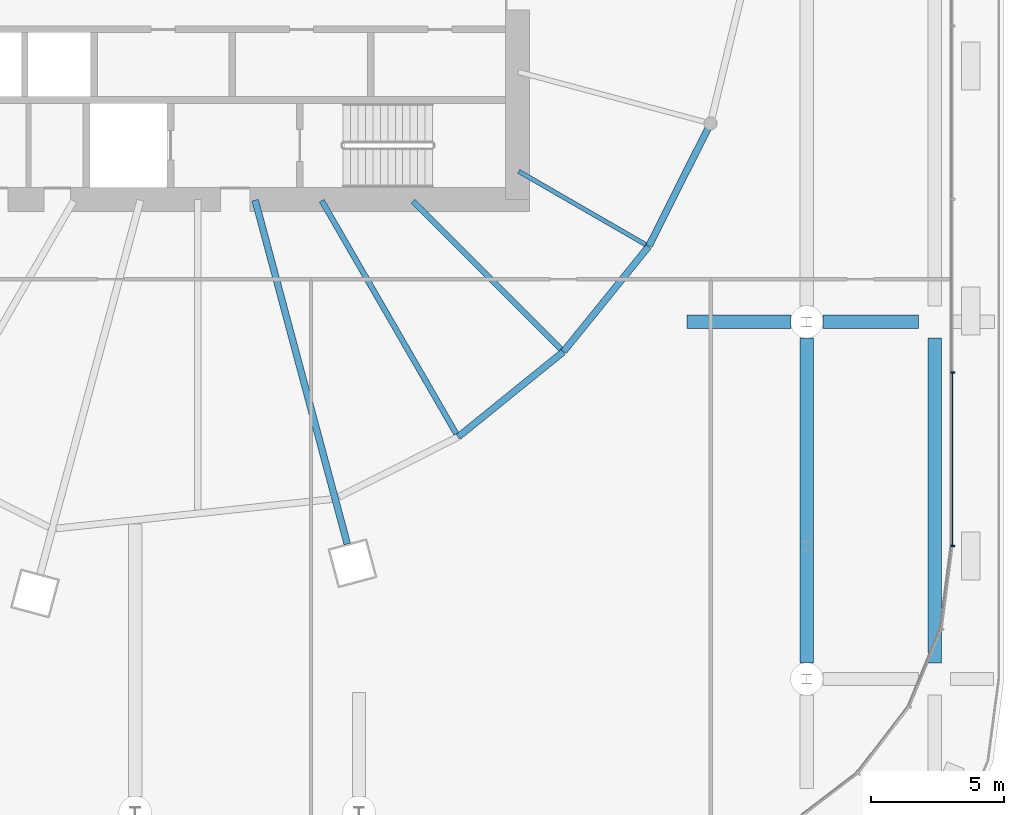
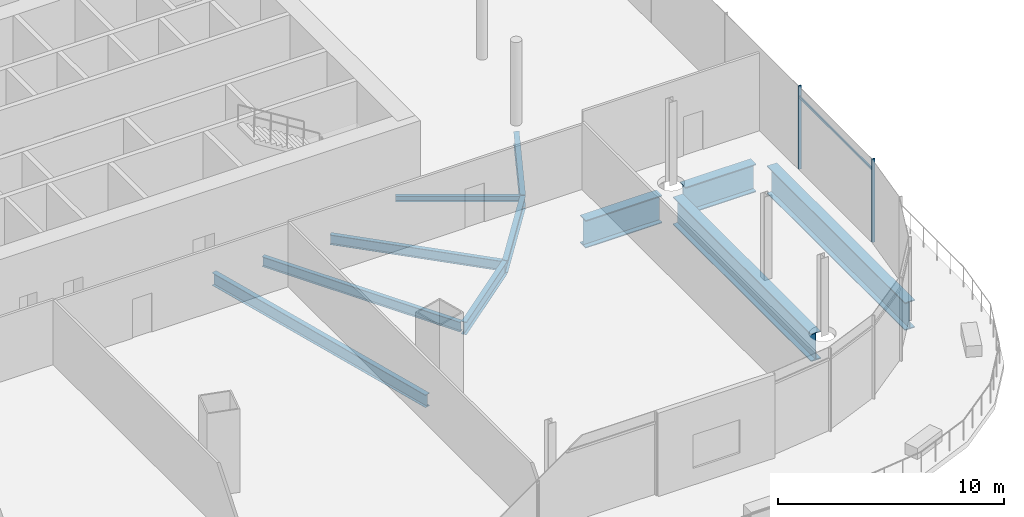
# One storey, part 24 of 56: 11 beams, 3 members, 1 element without a shape of its own.
"""IFC4 building model written with IfcOpenShell, lengths in metres."""

import ifcopenshell
import ifcopenshell.guid

model = None  # the IFC model being written
_history = None  # IfcOwnerHistory: only IFC2X3 demands one
_inside = {}  # id of a spatial element -> (the spatial element, [elements in it])
_under = {}  # id of a project, library or spatial element -> (it, [spatial elements below it])
_declared = {}  # id of a project -> (the project, [libraries it declares])
_typed = {}  # id of a type object -> (the type object, [elements of that type])
_made_of = {}  # id of a material, layer set ... -> (it, [elements and type objects made of it])


def new_model(schema):
    """Start an empty IFC model of exactly this schema.

    Asked for "IFC4X3", IfcOpenShell would pick the latest addendum, in which some entities
    have other attributes; the version numbers below select the first issue.
    IFC2X3 requires an IfcOwnerHistory on every rooted entity: one is made here for all.
    """
    global model, _history
    if schema == "IFC4X3":
        model = ifcopenshell.file(schema_version=(4, 3, 0, 0))
    else:
        model = ifcopenshell.file(schema=schema)
    _inside.clear()
    _under.clear()
    _declared.clear()
    _typed.clear()
    _made_of.clear()
    _history = None
    if model.schema == "IFC2X3":
        org = make("IfcOrganization", Name="unknown")
        user = make(
            "IfcPersonAndOrganization",
            ThePerson=make("IfcPerson", FamilyName="unknown"),
            TheOrganization=org,
        )
        app = make(
            "IfcApplication",
            ApplicationDeveloper=org,
            Version="unknown",
            ApplicationFullName="unknown",
            ApplicationIdentifier="unknown",
        )
        _history = make(
            "IfcOwnerHistory",
            OwningUser=user,
            OwningApplication=app,
            ChangeAction="ADDED",
            CreationDate=0,
        )
    return model


def make(cls, **values):
    """One entity of the class cls with the attributes given. An attribute that is None is left unset."""
    return model.create_entity(
        cls, **{name: value for name, value in values.items() if value is not None}
    )


def rooted(cls, **values):
    """An entity with a GlobalId (a new one), such as an element, a storey or a relation."""
    return make(cls, GlobalId=ifcopenshell.guid.new(), OwnerHistory=_history, **values)


def si_unit(unit_type, name, prefix=None):
    """IfcSIUnit, for example si_unit("LENGTHUNIT", "METRE", prefix="MILLI")."""
    return make("IfcSIUnit", UnitType=unit_type, Prefix=prefix, Name=name)


def assignment(units):
    """IfcUnitAssignment: the units of a project."""
    return None if units is None else make("IfcUnitAssignment", Units=units)


def point(xyz):
    """IfcCartesianPoint."""
    return None if xyz is None else make("IfcCartesianPoint", Coordinates=xyz)


def direction(xyz):
    """IfcDirection."""
    return None if xyz is None else make("IfcDirection", DirectionRatios=xyz)


def frame(location, z_axis=None, x_axis=None):
    """IfcAxis2Placement3D, a coordinate frame: its origin and axes. An axis left out is left unset."""
    return make(
        "IfcAxis2Placement3D",
        Location=point(location),
        Axis=direction(z_axis),
        RefDirection=direction(x_axis),
    )


def frame_2d(location, x_axis=None):
    """IfcAxis2Placement2D, a coordinate frame in the plane: its origin and x axis."""
    return make(
        "IfcAxis2Placement2D", Location=point(location), RefDirection=direction(x_axis)
    )


def origin():
    """The frame at (0, 0, 0) with its axes left unset."""
    return frame((0.0, 0.0, 0.0))


def origin_2d():
    """The frame at (0, 0) in the plane with its x axis left unset."""
    return frame_2d((0.0, 0.0))


def place(relative_to, where):
    """IfcLocalPlacement: puts the frame where relative to a parent placement (None: the world)."""
    return make(
        "IfcLocalPlacement", PlacementRelTo=relative_to, RelativePlacement=where
    )


def context(
    kind, dimensions, precision=None, world=None, true_north=None, identifier=None
):
    """IfcGeometricRepresentationContext, for example the 3D "Model" context."""
    return make(
        "IfcGeometricRepresentationContext",
        ContextIdentifier=identifier,
        ContextType=kind,
        CoordinateSpaceDimension=dimensions,
        Precision=precision,
        WorldCoordinateSystem=world,
        TrueNorth=true_north,
    )


def subcontext(parent, identifier, kind, view, scale=None):
    """IfcGeometricRepresentationSubContext, for example "Body" below "Model"."""
    return make(
        "IfcGeometricRepresentationSubContext",
        ContextIdentifier=identifier,
        ContextType=kind,
        ParentContext=parent,
        TargetScale=scale,
        TargetView=view,
    )


def project(units=None, contexts=None):
    """IfcProject with its units and contexts."""
    return rooted(
        "IfcProject",
        Name="project",
        RepresentationContexts=contexts,
        UnitsInContext=assignment(units),
    )


def spatial(cls, under=None, at=None, **own):
    """A site, building, storey or space (cls), placed at a placement, below another one or the project."""
    s = rooted(cls, ObjectPlacement=at, **own)
    if under is not None:
        _under.setdefault(under.id(), (under, []))[1].append(s)
    return s


def profile(cls, at=None, kind="AREA", **sizes):
    """A parametric profile (cls). Its sizes go by their IFC names, for example OverallWidth=200.0."""
    return make(cls, ProfileType=kind, Position=at, **sizes)


def rectangle(**sizes):
    """IfcRectangleProfileDef."""
    return profile("IfcRectangleProfileDef", **sizes)


def i_section(**sizes):
    """IfcIShapeProfileDef."""
    return profile("IfcIShapeProfileDef", **sizes)


def extrude(swept, where, along, depth):
    """IfcExtrudedAreaSolid: the profile swept, set in the frame where, extruded along a direction by depth."""
    return make(
        "IfcExtrudedAreaSolid",
        SweptArea=swept,
        Position=where,
        ExtrudedDirection=direction(along),
        Depth=depth,
    )


def shape(context_of_items, identifier, shape_type, items):
    """IfcShapeRepresentation: the items that make up one representation, for example the "Body"."""
    return make(
        "IfcShapeRepresentation",
        ContextOfItems=context_of_items,
        RepresentationIdentifier=identifier,
        RepresentationType=shape_type,
        Items=items,
    )


def material(Name=None, Category=None):
    """IfcMaterial."""
    return make("IfcMaterial", Name=Name, Category=Category)


def material_profile(
    of_material, cross_section, Name=None, Category=None, Priority=None
):
    """IfcMaterialProfile: a cross section and its material."""
    return make(
        "IfcMaterialProfile",
        Name=Name,
        Material=of_material,
        Profile=cross_section,
        Priority=Priority,
        Category=Category,
    )


def profile_set(profiles, Name=None, composite=None):
    """IfcMaterialProfileSet."""
    return make(
        "IfcMaterialProfileSet",
        Name=Name,
        MaterialProfiles=profiles,
        CompositeProfile=composite,
    )


def made_of(thing, what):
    """Note that an element or type object is made of a material, layer set ...; save() writes the relation."""
    if what is not None:
        _made_of.setdefault(what.id(), (what, []))[1].append(thing)
    return thing


def type_object(cls, material=None, **own):
    """A type object (cls), such as IfcWallType, which elements share."""
    return made_of(rooted(cls, **own), material)


def element(
    cls,
    number,
    at=None,
    inside=None,
    cuts=None,
    type_object=None,
    material=None,
    context=None,
    identifier="Body",
    shape_type=None,
    held_by="IfcProductDefinitionShape",
    body=None,
    shapes=None,
    **own,
):
    """One element of the class cls, such as IfcWall. Its Tag is "e" and its number.

    at: its placement. inside: the storey or other place that contains it. cuts: it is an
    opening in that element (IfcRelVoidsElement). A single representation is given by context,
    identifier, shape_type and body (its items); several are given by shapes. held_by: the class
    of the entity that holds the representations. save() writes the other relations.
    """
    e = rooted(cls, Tag="e%d" % number, ObjectPlacement=at, **own)
    if body is not None:
        shapes = [shape(context, identifier, shape_type, body)]
    if shapes is not None:
        e.Representation = make(held_by, Representations=shapes)
    if inside is not None:
        _inside.setdefault(inside.id(), (inside, []))[1].append(e)
    if cuts is not None:
        rooted(
            "IfcRelVoidsElement", RelatingBuildingElement=cuts, RelatedOpeningElement=e
        )
    if type_object is not None:
        _typed.setdefault(type_object.id(), (type_object, []))[1].append(e)
    return made_of(e, material)


def aggregate(whole, parts):
    """IfcRelAggregates: a whole, such as a stair, and the parts it consists of."""
    return rooted("IfcRelAggregates", RelatingObject=whole, RelatedObjects=parts)


def save(model, path):
    """Write the relations noted so far, then the file.

    IfcRelAggregates (storeys below a building ...), IfcRelContainedInSpatialStructure (elements
    in a storey), IfcRelDefinesByType, IfcRelAssociatesMaterial and IfcRelDeclares: one each for
    every whole, place, type object, material and project.
    """
    for whole, parts in _under.values():
        aggregate(whole, parts)
    for where, things in _inside.values():
        rooted(
            "IfcRelContainedInSpatialStructure",
            RelatedElements=things,
            RelatingStructure=where,
        )
    for kind, things in _typed.values():
        rooted("IfcRelDefinesByType", RelatedObjects=things, RelatingType=kind)
    for what, things in _made_of.values():
        rooted("IfcRelAssociatesMaterial", RelatedObjects=things, RelatingMaterial=what)
    for by, libraries in _declared.values():
        rooted("IfcRelDeclares", RelatingContext=by, RelatedDefinitions=libraries)
    model.write(path)


model = new_model("IFC4")

# Units and contexts
model_context = context("Model", 3, precision=1e-05, world=origin(), true_north=direction((0.0, 1.0)))
body_context = subcontext(model_context, "Body", "Model", "MODEL_VIEW")
ifc_project = project(units=[si_unit("LENGTHUNIT", "METRE"), si_unit("AREAUNIT", "SQUARE_METRE"), si_unit("VOLUMEUNIT", "CUBIC_METRE"), si_unit("PLANEANGLEUNIT", "RADIAN"), si_unit("MASSUNIT", "GRAM", prefix="KILO")], contexts=[model_context])

# Site, building, storey
site_placement = place(None, origin())
site = spatial("IfcSite", under=ifc_project, at=site_placement, CompositionType="ELEMENT")
building_placement = place(site_placement, origin())
building = spatial("IfcBuilding", under=site, at=building_placement, Name="Rimbun Link Towers", CompositionType="ELEMENT")
storey_placement = place(building_placement, frame((0.0, 0.0, 16.5)))
storey = spatial("IfcBuildingStorey", under=building, at=storey_placement, Name="L03", CompositionType="ELEMENT", Elevation=16.5)

# Curtain wall, members
ifc_material_1 = material(Name="Aluminium 6063-T6 and low-iron glass", Category="aluminium")
curtain_wall_type = type_object("IfcCurtainWallType", Name="CW3 podium shopfront", PredefinedType="NOTDEFINED", material=ifc_material_1)
curtain_wall_placement = place(storey_placement, origin())
curtain_wall = element("IfcCurtainWall", 1, at=curtain_wall_placement, inside=storey, type_object=curtain_wall_type, Name="CW3 L03 PD", PredefinedType="NOTDEFINED")
ifc_material_2 = material(Name="Aluminium 6063-T6", Category="aluminium")
ifc_material_profile_1 = material_profile(ifc_material_2, rectangle(XDim=0.14990234375, YDim=0.06005859375, at=origin_2d()), Name="MULLION 60X150")
ifc_profile_set_1 = profile_set([ifc_material_profile_1], Name="Aluminium 6063-T6")
member_type_1 = type_object("IfcMemberType", Name="CW3 mullion 60X150", PredefinedType="MULLION", material=ifc_profile_set_1)
member_1_placement = place(storey_placement, frame((60.074951171875, -21.0048828125, 0.0), z_axis=(0.0, 0.0, 1.0), x_axis=(0.997858781723, -0.065405288299, 0.0)))
member_1 = element("IfcMember", 2, at=member_1_placement, type_object=member_type_1, Name="CW3 mullion", PredefinedType="MULLION", context=body_context, shape_type="SweptSolid", body=[
    extrude(rectangle(XDim=0.14990234375, YDim=0.06005859375, at=origin_2d()), origin(), (0.0, 0.0, 1.0), 4.5),
])
member_2_placement = place(storey_placement, frame((60.074951171875, -14.5, 0.0), z_axis=(0.0, 0.0, 1.0), x_axis=(1.0, 0.0, 0.0)))
member_2 = element("IfcMember", 3, at=member_2_placement, type_object=member_type_1, Name="CW3 mullion", PredefinedType="MULLION", context=body_context, shape_type="SweptSolid", body=[
    extrude(rectangle(XDim=0.14990234375, YDim=0.06005859375, at=origin_2d()), origin(), (0.0, 0.0, 1.0), 4.5),
])
ifc_material_3 = material(Name="Aluminium 6063-T6", Category="aluminium")
ifc_material_profile_2 = material_profile(ifc_material_3, rectangle(XDim=0.06005859375, YDim=0.1201171875, at=origin_2d()), Name="TRANSOM 60X120")
ifc_profile_set_2 = profile_set([ifc_material_profile_2], Name="Aluminium 6063-T6")
member_type_2 = type_object("IfcMemberType", Name="CW3 transom 60X120", PredefinedType="USERDEFINED", material=ifc_profile_set_2)
member_3_placement = place(storey_placement, frame((60.053955078125, -14.530029296875, 3.89990234375), z_axis=(0.0, -1.0, 0.0), x_axis=(1.0, 0.0, 0.0)))
member_3 = element("IfcMember", 4, at=member_3_placement, type_object=member_type_2, Name="CW3 transom", ObjectType="TRANSOM", PredefinedType="USERDEFINED", context=body_context, shape_type="SweptSolid", body=[
    extrude(rectangle(XDim=0.06005859375, YDim=0.1201171875, at=origin_2d()), origin(), (0.0, 0.0, 1.0), 6.43994140625),
])
aggregate(curtain_wall, [member_1, member_2, member_3])

# Beams
ifc_material_4 = material(Name="Steel S355J2", Category="steel")
ifc_material_profile_3 = material_profile(ifc_material_4, i_section(OverallWidth=0.5, OverallDepth=1.5, WebThickness=0.030029296875, FlangeThickness=0.050048828125, at=origin_2d()), Name="PG 1500x500x30/50")
ifc_profile_set_3 = profile_set([ifc_material_profile_3], Name="Steel S355J2")
beam_type_1 = type_object("IfcBeamType", Name="PG 1500x500x30/50", PredefinedType="BEAM", material=ifc_profile_set_3)
beam_1_placement = place(storey_placement, frame((50.10009765625, -12.60009765625, -1.050048828125), z_axis=(1.0, 0.0, 0.0), x_axis=(0.0, 1.0, 0.0)))
element("IfcBeam", 5, at=beam_1_placement, inside=storey, type_object=beam_type_1, Name="Grid beam L03 -12.6", PredefinedType="BEAM", context=body_context, shape_type="SweptSolid", body=[
    extrude(i_section(OverallWidth=0.5, OverallDepth=1.5, WebThickness=0.030029296875, FlangeThickness=0.050048828125, at=origin_2d()), origin(), (0.0, 0.0, 1.0), 3.89990234375),
])
beam_2_placement = place(storey_placement, frame((55.199951171875, -12.60009765625, -1.050048828125), z_axis=(1.0, 0.0, 0.0), x_axis=(0.0, 1.0, 0.0)))
element("IfcBeam", 6, at=beam_2_placement, inside=storey, type_object=beam_type_1, Name="Grid beam L03 -12.6", PredefinedType="BEAM", context=body_context, shape_type="SweptSolid", body=[
    extrude(i_section(OverallWidth=0.5, OverallDepth=1.5, WebThickness=0.030029296875, FlangeThickness=0.050048828125, at=origin_2d()), origin(), (0.0, 0.0, 1.0), 3.60009765625),
])
for number, where, z_axis, x_axis, name in (
    (7, (54.60009765625, -25.39990234375, -1.050048828125), (0.0, 1.0, 0.0), (-1.0, 0.0, 0.0), "Grid beam L03 +54.6"),
    (8, (59.39990234375, -25.39990234375, -1.050048828125), (0.0, 1.0, 0.0), (-1.0, 0.0, 0.0), "Grid beam L03 +59.4"),
):
    element("IfcBeam", number, at=place(storey_placement, frame(where, z_axis=z_axis, x_axis=x_axis)), inside=storey, type_object=beam_type_1, Name=name, PredefinedType="BEAM", context=body_context, shape_type="SweptSolid", body=[
        extrude(i_section(OverallWidth=0.5, OverallDepth=1.5, WebThickness=0.030029296875, FlangeThickness=0.050048828125, at=origin_2d()), origin(), (0.0, 0.0, 1.0), 12.199951171875),
    ])
ifc_material_5 = material(Name="Steel S355J2", Category="steel")
ifc_material_profile_4 = material_profile(ifc_material_5, i_section(OverallWidth=0.1650390625, OverallDepth=0.303466796875, WebThickness=0.006103515625, FlangeThickness=0.01025390625, at=origin_2d()), Name="UB 305x165x40")
ifc_profile_set_4 = profile_set([ifc_material_profile_4], Name="Steel S355J2")
beam_type_2 = type_object("IfcBeamType", Name="UB 305x165x40", PredefinedType="BEAM", material=ifc_profile_set_4)
beam_3_placement = place(storey_placement, frame((43.7919921875, -6.952392578125, -0.45166015625), z_axis=(0.86600383438, -0.500037357444, 0.0), x_axis=(0.500037357444, 0.86600383438, 0.0)))
element("IfcBeam", 9, at=beam_3_placement, inside=storey, type_object=beam_type_2, Name="Radial beam T2 L03 19", PredefinedType="BEAM", context=body_context, shape_type="SweptSolid", body=[
    extrude(i_section(OverallWidth=0.1650390625, OverallDepth=0.303466796875, WebThickness=0.006103515625, FlangeThickness=0.01025390625, at=origin_2d()), origin(), (0.0, 0.0, 1.0), 5.5029296875),
])
ifc_material_6 = material(Name="Steel S355J2", Category="steel")
ifc_material_profile_5 = material_profile(ifc_material_6, i_section(OverallWidth=0.209228515625, OverallDepth=0.533203125, WebThickness=0.010009765625, FlangeThickness=0.015625, at=origin_2d()), Name="UB 533x210x92")
ifc_profile_set_5 = profile_set([ifc_material_profile_5], Name="Steel S355J2")
beam_type_3 = type_object("IfcBeamType", Name="UB 533x210x92", PredefinedType="BEAM", material=ifc_profile_set_5)
beam_4_placement = place(storey_placement, frame((36.3994140625, -8.05322265625, -0.566650390625), z_axis=(0.500024888386, -0.866011033991, 0.0), x_axis=(0.866011033991, 0.500024888386, 0.0)))
element("IfcBeam", 10, at=beam_4_placement, inside=storey, type_object=beam_type_3, Name="Radial beam T2 L03 17", PredefinedType="BEAM", context=body_context, shape_type="SweptSolid", body=[
    extrude(i_section(OverallWidth=0.209228515625, OverallDepth=0.533203125, WebThickness=0.010009765625, FlangeThickness=0.015625, at=origin_2d()), origin(), (0.0, 0.0, 1.0), 10.10888671875),
])
beam_5_placement = place(storey_placement, frame((39.82470703125, -8.07470703125, -0.566650390625), z_axis=(0.707106781187, -0.707106781187, 0.0), x_axis=(0.707106781187, 0.707106781187, 0.0)))
element("IfcBeam", 11, at=beam_5_placement, inside=storey, type_object=beam_type_3, Name="Radial beam T2 L03 18", PredefinedType="BEAM", context=body_context, shape_type="SweptSolid", body=[
    extrude(i_section(OverallWidth=0.209228515625, OverallDepth=0.533203125, WebThickness=0.010009765625, FlangeThickness=0.015625, at=origin_2d()), origin(), (0.0, 0.0, 1.0), 7.85546875),
])
ifc_material_7 = material(Name="Steel S355J2", Category="steel")
ifc_material_profile_6 = material_profile(ifc_material_7, i_section(OverallWidth=0.253662109375, OverallDepth=0.68359375, WebThickness=0.012451171875, FlangeThickness=0.01904296875, at=origin_2d()), Name="UB 686x254x140")
ifc_profile_set_6 = profile_set([ifc_material_profile_6], Name="Steel S355J2")
beam_type_4 = type_object("IfcBeamType", Name="UB 686x254x140", PredefinedType="BEAM", material=ifc_profile_set_6)
beam_6_placement = place(storey_placement, frame((33.902587890625, -8.03369140625, -0.641845703125), z_axis=(0.258816190288, -0.96592659123, 0.0), x_axis=(0.96592659123, 0.258816190288, 0.0)))
element("IfcBeam", 12, at=beam_6_placement, inside=storey, type_object=beam_type_4, Name="Radial beam T2 L03 16", PredefinedType="BEAM", context=body_context, shape_type="SweptSolid", body=[
    extrude(i_section(OverallWidth=0.253662109375, OverallDepth=0.68359375, WebThickness=0.012451171875, FlangeThickness=0.01904296875, at=origin_2d()), origin(), (0.0, 0.0, 1.0), 13.355224609375),
])
for number, where, z_axis, x_axis, name in (
    (13, (41.529296875, -16.909423828125, -0.641845703125), (0.777298851758, 0.629131540345, 0.0), (-0.629131540345, 0.777298851758, 0.0), "Edge beam T2 L03 17"),
    (14, (45.47900390625, -13.708740234375, -0.641845703125), (0.629131540345, 0.777298851758, 0.0), (-0.777298851758, 0.629131540345, 0.0), "Edge beam T2 L03 18"),
):
    element("IfcBeam", number, at=place(storey_placement, frame(where, z_axis=z_axis, x_axis=x_axis)), inside=storey, type_object=beam_type_4, Name=name, PredefinedType="BEAM", context=body_context, shape_type="SweptSolid", body=[
        extrude(i_section(OverallWidth=0.253662109375, OverallDepth=0.68359375, WebThickness=0.012451171875, FlangeThickness=0.01904296875, at=origin_2d()), origin(), (0.0, 0.0, 1.0), 5.05517578125),
    ])
beam_7_placement = place(storey_placement, frame((48.67529296875, -9.7548828125, -0.641845703125), z_axis=(0.449213825597, 0.893424277089, 0.0), x_axis=(-0.893424277089, 0.449213825597, 0.0)))
element("IfcBeam", 15, at=beam_7_placement, inside=storey, type_object=beam_type_4, Name="Edge beam T2 L03 19", PredefinedType="BEAM", context=body_context, shape_type="SweptSolid", body=[
    extrude(i_section(OverallWidth=0.253662109375, OverallDepth=0.68359375, WebThickness=0.012451171875, FlangeThickness=0.01904296875, at=origin_2d()), origin(), (0.0, 0.0, 1.0), 4.92822265625),
])

save(model, "model.ifc")
